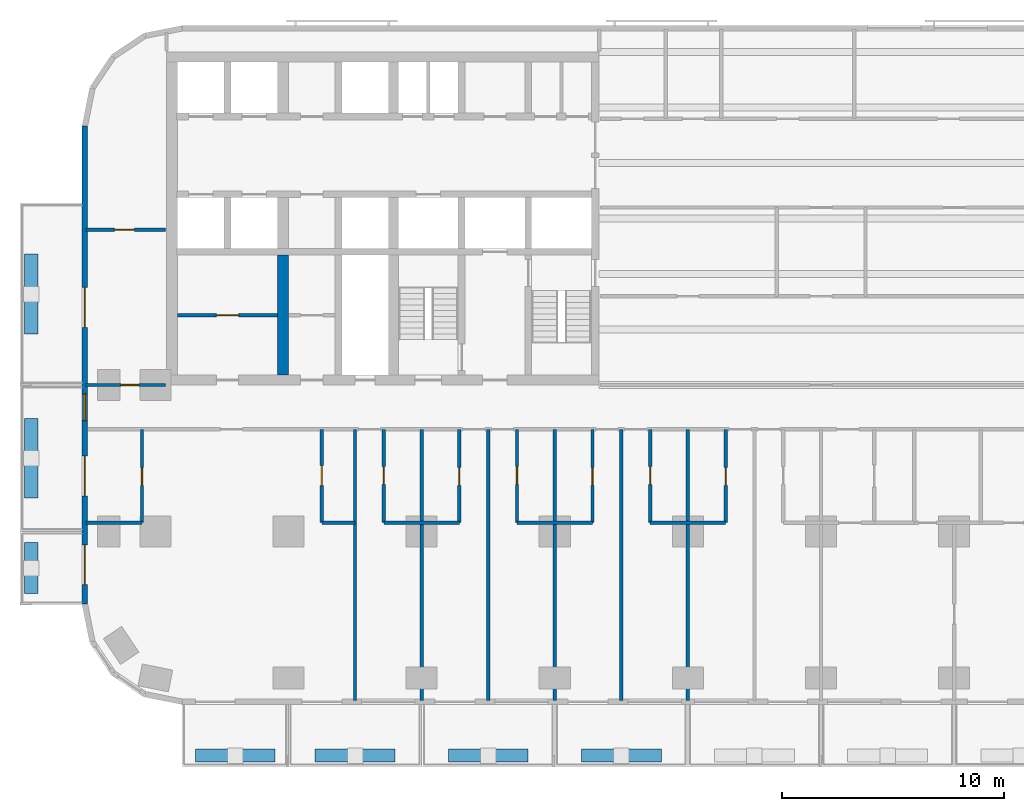
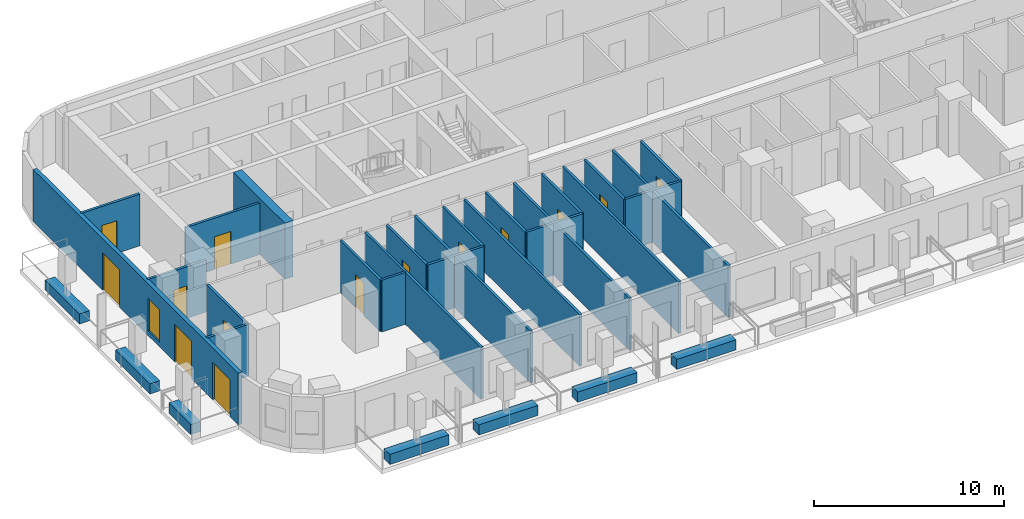
# One storey, part 2 of 14: 31 walls, 14 doors, 1 window, 15 openings.
"""IFC4 building model written with IfcOpenShell, lengths in metres."""

from ifc_helpers import new_model, si_unit, direction, frame, frame_2d, origin, place, context, subcontext, project, spatial, rectangle, extrude, material, layer, layer_set, type_object, element, fill, save


model = new_model("IFC4")

# Units and contexts
model_context = context("Model", 3, precision=1e-05, world=origin(), true_north=direction((0.0, 1.0)))
body_context = subcontext(model_context, "Body", "Model", "MODEL_VIEW")
ifc_project = project(units=[si_unit("LENGTHUNIT", "METRE"), si_unit("AREAUNIT", "SQUARE_METRE"), si_unit("VOLUMEUNIT", "CUBIC_METRE"), si_unit("PLANEANGLEUNIT", "RADIAN"), si_unit("MASSUNIT", "GRAM", prefix="KILO")], contexts=[model_context])

# Site, building, storey
site_placement = place(None, origin())
site = spatial("IfcSite", under=ifc_project, at=site_placement, CompositionType="ELEMENT")
building_placement = place(site_placement, origin())
building = spatial("IfcBuilding", under=site, at=building_placement, Name="Torana Hotel and Residences", CompositionType="ELEMENT")
storey_placement = place(building_placement, frame((0.0, 0.0, 63.60009765625)))
storey = spatial("IfcBuildingStorey", under=building, at=storey_placement, Name="L15", CompositionType="ELEMENT", Elevation=63.60009765625)

# Wall
ifc_material_1 = material(Name="Concrete C80/95", Category="concrete")
ifc_layer_1 = layer(ifc_material_1, 0.5)
ifc_layer_set_1 = layer_set([ifc_layer_1], Name="CORE WALL 500 C80/95")
wall_type_1 = type_object("IfcWallType", Name="CORE WALL 500 C80/95", PredefinedType="SHEAR", material=ifc_layer_set_1)
wall_1_placement = place(storey_placement, frame((-24.25, -14.550048828125, 0.0), z_axis=(0.0, 0.0, 1.0), x_axis=(0.0, 1.0, 0.0)))
element("IfcWall", 1, at=wall_1_placement, inside=storey, type_object=wall_type_1, Name="Core wall W ml-band", PredefinedType="SHEAR", context=body_context, shape_type="SweptSolid", body=[
    extrude(rectangle(XDim=5.400146484375, YDim=0.5, at=frame_2d((2.7001953125, 0.0))), origin(), (0.0, 0.0, 1.0), 3.599853515625),
])

# Wall, openings, doors, window
ifc_material_2 = material(Name="Black aluminium composite panel", Category="aluminium")
ifc_layer_2 = layer(ifc_material_2, 0.00390625, Name="Cladding", Category="cladding")
ifc_material_3 = material(Name="Ventilated air cavity")
ifc_layer_3 = layer(ifc_material_3, 0.0400390625, Name="Ventilated cavity", Category="cavity")
ifc_material_4 = material(Name="Mineral wool insulation")
ifc_layer_4 = layer(ifc_material_4, 0.090087890625, Name="Insulation", Category="insulation")
ifc_material_5 = material(Name="Steel S280GD", Category="steel")
ifc_layer_5 = layer(ifc_material_5, 0.092041015625, Name="Steel stud frame", Category="structure")
ifc_material_6 = material(Name="Fire rated plasterboard")
ifc_layer_6 = layer(ifc_material_6, 0.011962890625, Name="Inner board", Category="finish")
ifc_layer_7 = layer(ifc_material_6, 0.011962890625, Name="Second board", Category="finish")
ifc_layer_set_2 = layer_set([ifc_layer_2, ifc_layer_3, ifc_layer_4, ifc_layer_5, ifc_layer_6, ifc_layer_7], Name="EW1 EXTERNAL WALL BLACK METAL CLAD 250")
wall_type_2 = type_object("IfcWallType", Name="EW1 EXTERNAL WALL BLACK METAL CLAD 250", PredefinedType="SOLIDWALL", material=ifc_layer_set_2)
wall_2_placement = place(storey_placement, frame((-33.175048828125, -3.32470703125, 0.0), z_axis=(0.0, 0.0, 1.0), x_axis=(0.0, -1.0, 0.0)))
wall_2 = element("IfcWall", 2, at=wall_2_placement, inside=storey, type_object=wall_type_2, Name="External wall L15 e0.9", PredefinedType="SOLIDWALL", context=body_context, shape_type="SweptSolid", body=[
    extrude(rectangle(XDim=21.55078125, YDim=0.25, at=frame_2d((10.775390625, 0.0))), origin(), (0.0, 0.0, 1.0), 3.31982421875),
])
opening_1_placement = place(wall_2_placement, frame((7.275390625, 0.0, 0.0)))
opening_1 = element("IfcOpeningElement", 3, at=opening_1_placement, cuts=wall_2, Name="Opening L15-E14", PredefinedType="OPENING", context=body_context, shape_type="SweptSolid", body=[
    extrude(rectangle(XDim=1.800048828125, YDim=2.39990234375, at=frame_2d((0.89990234375, 1.199951171875))), frame((0.0, 0.135009765625, 0.0), z_axis=(0.0, -1.0, 0.0), x_axis=(1.0, 0.0, 0.0)), (0.0, 0.0, 1.0), 0.27001953125),
])
opening_2_placement = place(wall_2_placement, frame((12.075439453125, 0.0, 0.300048828125)))
opening_2 = element("IfcOpeningElement", 4, at=opening_2_placement, cuts=wall_2, Name="Opening W7", PredefinedType="OPENING", context=body_context, shape_type="SweptSolid", body=[
    extrude(rectangle(XDim=1.199951171875, YDim=2.10009765625, at=frame_2d((0.60009765625, 1.050048828125))), frame((0.0, 0.135009765625, 0.0), z_axis=(0.0, -1.0, 0.0), x_axis=(1.0, 0.0, 0.0)), (0.0, 0.0, 1.0), 0.27001953125),
])
opening_3_placement = place(wall_2_placement, frame((14.87548828125, 0.0, 0.0)))
opening_3 = element("IfcOpeningElement", 5, at=opening_3_placement, cuts=wall_2, Name="Opening L15-E15", PredefinedType="OPENING", context=body_context, shape_type="SweptSolid", body=[
    extrude(rectangle(XDim=1.800048828125, YDim=2.39990234375, at=frame_2d((0.89990234375, 1.199951171875))), frame((0.0, 0.135009765625, 0.0), z_axis=(0.0, -1.0, 0.0), x_axis=(1.0, 0.0, 0.0)), (0.0, 0.0, 1.0), 0.27001953125),
])
opening_4_placement = place(wall_2_placement, frame((18.87548828125, 0.0, 0.0)))
opening_4 = element("IfcOpeningElement", 6, at=opening_4_placement, cuts=wall_2, Name="Opening L15-E16", PredefinedType="OPENING", context=body_context, shape_type="SweptSolid", body=[
    extrude(rectangle(XDim=1.800048828125, YDim=2.39990234375, at=frame_2d((0.89990234375, 1.199951171875))), frame((0.0, 0.135009765625, 0.0), z_axis=(0.0, -1.0, 0.0), x_axis=(1.0, 0.0, 0.0)), (0.0, 0.0, 1.0), 0.27001953125),
])
ifc_material_7 = material(Name="Dark glass in black aluminium frame", Category="aluminium")
door_type_1 = type_object("IfcDoorType", Name="DB1 BALCONY DOOR 1800x2400", OperationType="DOUBLE_DOOR_SINGLE_SWING", PredefinedType="DOOR", material=ifc_material_7)
door_1_placement = place(opening_1_placement, origin())
door_1 = element("IfcDoor", 7, at=door_1_placement, inside=storey, type_object=door_type_1, Name="Balcony door L15", OperationType="DOUBLE_DOOR_SINGLE_SWING", OverallHeight=2.39990234375, OverallWidth=1.800048828125, PredefinedType="DOOR", context=body_context, shape_type="SweptSolid", body=[
    extrude(rectangle(XDim=1.800048828125, YDim=2.39990234375, at=frame_2d((0.89990234375, 1.199951171875))), frame((0.0, 0.02490234375, 0.0), z_axis=(0.0, -1.0, 0.0), x_axis=(1.0, 0.0, 0.0)), (0.0, 0.0, 1.0), 0.050048828125),
])
fill(opening_1, door_1)
door_2_placement = place(opening_3_placement, origin())
door_2 = element("IfcDoor", 8, at=door_2_placement, inside=storey, type_object=door_type_1, Name="Balcony door L15", OperationType="DOUBLE_DOOR_SINGLE_SWING", OverallHeight=2.39990234375, OverallWidth=1.800048828125, PredefinedType="DOOR", context=body_context, shape_type="SweptSolid", body=[
    extrude(rectangle(XDim=1.800048828125, YDim=2.39990234375, at=frame_2d((0.89990234375, 1.199951171875))), frame((0.0, 0.02490234375, 0.0), z_axis=(0.0, -1.0, 0.0), x_axis=(1.0, 0.0, 0.0)), (0.0, 0.0, 1.0), 0.050048828125),
])
fill(opening_3, door_2)
door_3_placement = place(opening_4_placement, frame((0.89990234375, 0.0, 0.0), z_axis=(0.0, 0.0, 1.0), x_axis=(-1.0, 0.0, 0.0)))
door_3 = element("IfcDoor", 9, at=door_3_placement, inside=storey, type_object=door_type_1, Name="Balcony door L15", OperationType="DOUBLE_DOOR_SINGLE_SWING", OverallHeight=2.39990234375, OverallWidth=1.800048828125, PredefinedType="DOOR", context=body_context, shape_type="SweptSolid", body=[
    extrude(rectangle(XDim=1.800048828125, YDim=2.39990234375, at=frame_2d((0.0, 1.199951171875))), frame((0.0, -0.02490234375, 0.0), z_axis=(0.0, 1.0, 0.0), x_axis=(-1.0, 0.0, 0.0)), (0.0, 0.0, 1.0), 0.050048828125),
])
fill(opening_4, door_3)
ifc_material_8 = material(Name="Dark glass in black aluminium frame", Category="aluminium")
window_type = type_object("IfcWindowType", Name="W7 HOTEL CORRIDOR WINDOW 1200x2100", PartitioningType="SINGLE_PANEL", PredefinedType="WINDOW", material=ifc_material_8)
window_placement = place(opening_2_placement, origin())
window = element("IfcWindow", 10, at=window_placement, inside=storey, type_object=window_type, Name="Window L15", OverallHeight=2.10009765625, OverallWidth=1.199951171875, PartitioningType="SINGLE_PANEL", PredefinedType="WINDOW", context=body_context, shape_type="SweptSolid", body=[
    extrude(rectangle(XDim=1.199951171875, YDim=2.10009765625, at=frame_2d((0.60009765625, 1.050048828125))), frame((0.0, 0.030029296875, 0.0), z_axis=(0.0, -1.0, 0.0), x_axis=(1.0, 0.0, 0.0)), (0.0, 0.0, 1.0), 0.06005859375),
])
fill(opening_2, window)

# Wall, opening, door
ifc_material_9 = material(Name="Gypsum plaster")
ifc_layer_8 = layer(ifc_material_9, 0.014892578125, Name="Plaster", Category="finish")
ifc_material_10 = material(Name="Concrete blockwork", Category="masonry")
ifc_layer_9 = layer(ifc_material_10, 0.1201171875, Name="Blockwork", Category="structure")
ifc_layer_10 = layer(ifc_material_9, 0.014892578125, Name="Plaster", Category="finish")
ifc_layer_set_3 = layer_set([ifc_layer_8, ifc_layer_9, ifc_layer_10], Name="FIRE PARTITION 150 BLOCKWORK")
wall_type_3 = type_object("IfcWallType", Name="FIRE PARTITION 150 BLOCKWORK", PredefinedType="PARTITIONING", material=ifc_layer_set_3)
wall_3_placement = place(storey_placement, frame((-29.0, -11.85009765625, 0.0), z_axis=(0.0, 0.0, 1.0), x_axis=(1.0, 0.0, 0.0)))
wall_3 = element("IfcWall", 11, at=wall_3_placement, inside=storey, type_object=wall_type_3, Name="Core partition L15", PredefinedType="PARTITIONING", context=body_context, shape_type="SweptSolid", body=[
    extrude(rectangle(XDim=4.5, YDim=0.14990234375, at=frame_2d((2.25, 0.0))), origin(), (0.0, 0.0, 1.0), 3.2998046875),
])
opening_5_placement = place(wall_3_placement, frame((1.75, 0.0, 0.0)))
opening_5 = element("IfcOpeningElement", 12, at=opening_5_placement, cuts=wall_3, Name="Opening L15-36", PredefinedType="OPENING", context=body_context, shape_type="SweptSolid", body=[
    extrude(rectangle(XDim=1.0, YDim=2.10009765625, at=frame_2d((0.5, 1.050048828125))), frame((0.0, 0.0849609375, 0.0), z_axis=(0.0, -1.0, 0.0), x_axis=(1.0, 0.0, 0.0)), (0.0, 0.0, 1.0), 0.169921875),
])
ifc_material_11 = material(Name="Steel S235", Category="steel")
door_type_2 = type_object("IfcDoorType", Name="CORE ROOM FIRE DOOR D14 1000x2100", OperationType="SINGLE_SWING_LEFT", PredefinedType="DOOR", material=ifc_material_11)
door_4_placement = place(opening_5_placement, origin())
door_4 = element("IfcDoor", 13, at=door_4_placement, inside=storey, type_object=door_type_2, Name="Plant room door L15", OperationType="SINGLE_SWING_RIGHT", OverallHeight=2.10009765625, OverallWidth=1.0, PredefinedType="DOOR", context=body_context, shape_type="SweptSolid", body=[
    extrude(rectangle(XDim=1.0, YDim=2.10009765625, at=frame_2d((0.5, 1.050048828125))), frame((0.0, 0.02490234375, 0.0), z_axis=(0.0, -1.0, 0.0), x_axis=(1.0, 0.0, 0.0)), (0.0, 0.0, 1.0), 0.050048828125),
])
fill(opening_5, door_4)

wall_4_placement = place(storey_placement, frame((-33.1201171875, -15.0, 0.0), z_axis=(0.0, 0.0, 1.0), x_axis=(1.0, 0.0, 0.0)))
wall_4 = element("IfcWall", 14, at=wall_4_placement, inside=storey, type_object=wall_type_3, Name="Partition L15", PredefinedType="PARTITIONING", context=body_context, shape_type="SweptSolid", body=[
    extrude(rectangle(XDim=3.570068359375, YDim=0.14990234375, at=frame_2d((1.78515625, 0.0))), origin(), (0.0, 0.0, 1.0), 3.31982421875),
])
opening_6_placement = place(wall_4_placement, frame((1.580078125, 0.0, 0.0)))
opening_6 = element("IfcOpeningElement", 15, at=opening_6_placement, cuts=wall_4, Name="Opening L15-52", PredefinedType="OPENING", context=body_context, shape_type="SweptSolid", body=[
    extrude(rectangle(XDim=0.800048828125, YDim=2.10009765625, at=frame_2d((0.39990234375, 1.050048828125))), frame((0.0, 0.0849609375, 0.0), z_axis=(0.0, -1.0, 0.0), x_axis=(1.0, 0.0, 0.0)), (0.0, 0.0, 1.0), 0.169921875),
])
ifc_material_12 = material(Name="Steel S235", Category="steel")
door_type_3 = type_object("IfcDoorType", Name="STORE FIRE DOOR D16 800x2100", OperationType="SINGLE_SWING_LEFT", PredefinedType="DOOR", material=ifc_material_12)
door_5_placement = place(opening_6_placement, origin())
door_5 = element("IfcDoor", 16, at=door_5_placement, inside=storey, type_object=door_type_3, Name="Door L15", OperationType="SINGLE_SWING_RIGHT", OverallHeight=2.10009765625, OverallWidth=0.800048828125, PredefinedType="DOOR", context=body_context, shape_type="SweptSolid", body=[
    extrude(rectangle(XDim=0.800048828125, YDim=2.10009765625, at=frame_2d((0.39990234375, 1.050048828125))), frame((0.0, 0.02490234375, 0.0), z_axis=(0.0, -1.0, 0.0), x_axis=(1.0, 0.0, 0.0)), (0.0, 0.0, 1.0), 0.050048828125),
])
fill(opening_6, door_5)

ifc_material_13 = material(Name="Gypsum plasterboard")
ifc_layer_11 = layer(ifc_material_13, 0.012451171875, Name="Plasterboard", Category="finish")
ifc_layer_12 = layer(ifc_material_13, 0.012451171875, Name="Plasterboard", Category="finish")
ifc_layer_13 = layer(ifc_material_5, 0.10009765625, Name="Steel studs with mineral wool", Category="insulation")
ifc_layer_14 = layer(ifc_material_13, 0.012451171875, Name="Plasterboard", Category="finish")
ifc_layer_15 = layer(ifc_material_13, 0.012451171875, Name="Plasterboard", Category="finish")
ifc_layer_set_4 = layer_set([ifc_layer_11, ifc_layer_12, ifc_layer_13, ifc_layer_14, ifc_layer_15], Name="PARTITION 150 PLASTERBOARD")
wall_type_4 = type_object("IfcWallType", Name="PARTITION 150 PLASTERBOARD", PredefinedType="PARTITIONING", material=ifc_layer_set_4)
wall_5_placement = place(storey_placement, frame((-4.300048828125, -21.199951171875, 0.0), z_axis=(0.0, 0.0, 1.0), x_axis=(0.0, 1.0, 0.0)))
wall_5 = element("IfcWall", 17, at=wall_5_placement, inside=storey, type_object=wall_type_4, Name="Partition L15", PredefinedType="PARTITIONING", context=body_context, shape_type="SweptSolid", body=[
    extrude(rectangle(XDim=4.199951171875, YDim=0.14990234375, at=frame_2d((2.10009765625, 0.0))), origin(), (0.0, 0.0, 1.0), 3.31982421875),
])
opening_7_placement = place(wall_5_placement, frame((1.679931640625, 0.0, 0.0)))
opening_7 = element("IfcOpeningElement", 18, at=opening_7_placement, cuts=wall_5, Name="Opening L15-67", PredefinedType="OPENING", context=body_context, shape_type="SweptSolid", body=[
    extrude(rectangle(XDim=0.800048828125, YDim=2.10009765625, at=frame_2d((0.39990234375, 1.050048828125))), frame((0.0, 0.0849609375, 0.0), z_axis=(0.0, -1.0, 0.0), x_axis=(1.0, 0.0, 0.0)), (0.0, 0.0, 1.0), 0.169921875),
])
ifc_material_14 = material(Name="Timber door, painted", Category="wood")
door_type_4 = type_object("IfcDoorType", Name="BATH DOOR D13 800x2100", OperationType="SINGLE_SWING_LEFT", PredefinedType="DOOR", material=ifc_material_14)
door_6_placement = place(opening_7_placement, origin())
door_6 = element("IfcDoor", 19, at=door_6_placement, inside=storey, type_object=door_type_4, Name="Door L15", OperationType="SINGLE_SWING_RIGHT", OverallHeight=2.10009765625, OverallWidth=0.800048828125, PredefinedType="DOOR", context=body_context, shape_type="SweptSolid", body=[
    extrude(rectangle(XDim=0.800048828125, YDim=2.10009765625, at=frame_2d((0.39990234375, 1.050048828125))), frame((0.0, 0.02490234375, 0.0), z_axis=(0.0, -1.0, 0.0), x_axis=(1.0, 0.0, 0.0)), (0.0, 0.0, 1.0), 0.050048828125),
])
fill(opening_7, door_6)

# Wall
wall_6_placement = place(storey_placement, frame((-6.0, -29.219970703125, 0.0), z_axis=(0.0, 0.0, 1.0), x_axis=(0.0, 1.0, 0.0)))
element("IfcWall", 20, at=wall_6_placement, inside=storey, type_object=wall_type_4, Name="Partition L15", PredefinedType="PARTITIONING", context=body_context, shape_type="SweptSolid", body=[
    extrude(rectangle(XDim=12.219970703125, YDim=0.14990234375, at=frame_2d((6.10986328125, 0.0))), origin(), (0.0, 0.0, 1.0), 3.31982421875),
])

# Wall, opening, door
wall_7_placement = place(storey_placement, frame((-7.699951171875, -21.199951171875, 0.0), z_axis=(0.0, 0.0, 1.0), x_axis=(0.0, 1.0, 0.0)))
wall_7 = element("IfcWall", 21, at=wall_7_placement, inside=storey, type_object=wall_type_4, Name="Partition L15", PredefinedType="PARTITIONING", context=body_context, shape_type="SweptSolid", body=[
    extrude(rectangle(XDim=4.199951171875, YDim=0.14990234375, at=frame_2d((2.10009765625, 0.0))), origin(), (0.0, 0.0, 1.0), 3.31982421875),
])
opening_8_placement = place(wall_7_placement, frame((1.719970703125, 0.0, 0.0)))
opening_8 = element("IfcOpeningElement", 22, at=opening_8_placement, cuts=wall_7, Name="Opening L15-66", PredefinedType="OPENING", context=body_context, shape_type="SweptSolid", body=[
    extrude(rectangle(XDim=0.800048828125, YDim=2.10009765625, at=frame_2d((0.39990234375, 1.050048828125))), frame((0.0, 0.0849609375, 0.0), z_axis=(0.0, -1.0, 0.0), x_axis=(1.0, 0.0, 0.0)), (0.0, 0.0, 1.0), 0.169921875),
])
door_7_placement = place(opening_8_placement, origin())
door_7 = element("IfcDoor", 23, at=door_7_placement, inside=storey, type_object=door_type_4, Name="Door L15", OperationType="SINGLE_SWING_RIGHT", OverallHeight=2.10009765625, OverallWidth=0.800048828125, PredefinedType="DOOR", context=body_context, shape_type="SweptSolid", body=[
    extrude(rectangle(XDim=0.800048828125, YDim=2.10009765625, at=frame_2d((0.39990234375, 1.050048828125))), frame((0.0, 0.02490234375, 0.0), z_axis=(0.0, -1.0, 0.0), x_axis=(1.0, 0.0, 0.0)), (0.0, 0.0, 1.0), 0.050048828125),
])
fill(opening_8, door_7)

# Wall
wall_8_placement = place(storey_placement, frame((-9.0, -29.219970703125, 0.0), z_axis=(0.0, 0.0, 1.0), x_axis=(0.0, 1.0, 0.0)))
element("IfcWall", 24, at=wall_8_placement, inside=storey, type_object=wall_type_4, Name="Partition L15", PredefinedType="PARTITIONING", context=body_context, shape_type="SweptSolid", body=[
    extrude(rectangle(XDim=12.219970703125, YDim=0.14990234375, at=frame_2d((6.10986328125, 0.0))), origin(), (0.0, 0.0, 1.0), 3.31982421875),
])

# Wall, opening, door
wall_9_placement = place(storey_placement, frame((-10.300048828125, -21.199951171875, 0.0), z_axis=(0.0, 0.0, 1.0), x_axis=(0.0, 1.0, 0.0)))
wall_9 = element("IfcWall", 25, at=wall_9_placement, inside=storey, type_object=wall_type_4, Name="Partition L15", PredefinedType="PARTITIONING", context=body_context, shape_type="SweptSolid", body=[
    extrude(rectangle(XDim=4.199951171875, YDim=0.14990234375, at=frame_2d((2.10009765625, 0.0))), origin(), (0.0, 0.0, 1.0), 3.31982421875),
])
opening_9_placement = place(wall_9_placement, frame((1.679931640625, 0.0, 0.0)))
opening_9 = element("IfcOpeningElement", 26, at=opening_9_placement, cuts=wall_9, Name="Opening L15-65", PredefinedType="OPENING", context=body_context, shape_type="SweptSolid", body=[
    extrude(rectangle(XDim=0.800048828125, YDim=2.10009765625, at=frame_2d((0.39990234375, 1.050048828125))), frame((0.0, 0.0849609375, 0.0), z_axis=(0.0, -1.0, 0.0), x_axis=(1.0, 0.0, 0.0)), (0.0, 0.0, 1.0), 0.169921875),
])
door_8_placement = place(opening_9_placement, origin())
door_8 = element("IfcDoor", 27, at=door_8_placement, inside=storey, type_object=door_type_4, Name="Door L15", OperationType="SINGLE_SWING_RIGHT", OverallHeight=2.10009765625, OverallWidth=0.800048828125, PredefinedType="DOOR", context=body_context, shape_type="SweptSolid", body=[
    extrude(rectangle(XDim=0.800048828125, YDim=2.10009765625, at=frame_2d((0.39990234375, 1.050048828125))), frame((0.0, 0.02490234375, 0.0), z_axis=(0.0, -1.0, 0.0), x_axis=(1.0, 0.0, 0.0)), (0.0, 0.0, 1.0), 0.050048828125),
])
fill(opening_9, door_8)

# Wall
wall_10_placement = place(storey_placement, frame((-12.0, -29.219970703125, 0.0), z_axis=(0.0, 0.0, 1.0), x_axis=(0.0, 1.0, 0.0)))
element("IfcWall", 28, at=wall_10_placement, inside=storey, type_object=wall_type_4, Name="Partition L15", PredefinedType="PARTITIONING", context=body_context, shape_type="SweptSolid", body=[
    extrude(rectangle(XDim=12.219970703125, YDim=0.14990234375, at=frame_2d((6.10986328125, 0.0))), origin(), (0.0, 0.0, 1.0), 3.31982421875),
])

# Wall, opening, door
wall_11_placement = place(storey_placement, frame((-13.699951171875, -21.199951171875, 0.0), z_axis=(0.0, 0.0, 1.0), x_axis=(0.0, 1.0, 0.0)))
wall_11 = element("IfcWall", 29, at=wall_11_placement, inside=storey, type_object=wall_type_4, Name="Partition L15", PredefinedType="PARTITIONING", context=body_context, shape_type="SweptSolid", body=[
    extrude(rectangle(XDim=4.199951171875, YDim=0.14990234375, at=frame_2d((2.10009765625, 0.0))), origin(), (0.0, 0.0, 1.0), 3.31982421875),
])
opening_10_placement = place(wall_11_placement, frame((1.719970703125, 0.0, 0.0)))
opening_10 = element("IfcOpeningElement", 30, at=opening_10_placement, cuts=wall_11, Name="Opening L15-64", PredefinedType="OPENING", context=body_context, shape_type="SweptSolid", body=[
    extrude(rectangle(XDim=0.800048828125, YDim=2.10009765625, at=frame_2d((0.39990234375, 1.050048828125))), frame((0.0, 0.0849609375, 0.0), z_axis=(0.0, -1.0, 0.0), x_axis=(1.0, 0.0, 0.0)), (0.0, 0.0, 1.0), 0.169921875),
])
door_9_placement = place(opening_10_placement, origin())
door_9 = element("IfcDoor", 31, at=door_9_placement, inside=storey, type_object=door_type_4, Name="Door L15", OperationType="SINGLE_SWING_RIGHT", OverallHeight=2.10009765625, OverallWidth=0.800048828125, PredefinedType="DOOR", context=body_context, shape_type="SweptSolid", body=[
    extrude(rectangle(XDim=0.800048828125, YDim=2.10009765625, at=frame_2d((0.39990234375, 1.050048828125))), frame((0.0, 0.02490234375, 0.0), z_axis=(0.0, -1.0, 0.0), x_axis=(1.0, 0.0, 0.0)), (0.0, 0.0, 1.0), 0.050048828125),
])
fill(opening_10, door_9)

# Wall
wall_12_placement = place(storey_placement, frame((-15.0, -29.219970703125, 0.0), z_axis=(0.0, 0.0, 1.0), x_axis=(0.0, 1.0, 0.0)))
element("IfcWall", 32, at=wall_12_placement, inside=storey, type_object=wall_type_4, Name="Partition L15", PredefinedType="PARTITIONING", context=body_context, shape_type="SweptSolid", body=[
    extrude(rectangle(XDim=12.219970703125, YDim=0.14990234375, at=frame_2d((6.10986328125, 0.0))), origin(), (0.0, 0.0, 1.0), 3.31982421875),
])

# Wall, opening, door
wall_13_placement = place(storey_placement, frame((-16.300048828125, -21.199951171875, 0.0), z_axis=(0.0, 0.0, 1.0), x_axis=(0.0, 1.0, 0.0)))
wall_13 = element("IfcWall", 33, at=wall_13_placement, inside=storey, type_object=wall_type_4, Name="Partition L15", PredefinedType="PARTITIONING", context=body_context, shape_type="SweptSolid", body=[
    extrude(rectangle(XDim=4.199951171875, YDim=0.14990234375, at=frame_2d((2.10009765625, 0.0))), origin(), (0.0, 0.0, 1.0), 3.31982421875),
])
opening_11_placement = place(wall_13_placement, frame((1.679931640625, 0.0, 0.0)))
opening_11 = element("IfcOpeningElement", 34, at=opening_11_placement, cuts=wall_13, Name="Opening L15-63", PredefinedType="OPENING", context=body_context, shape_type="SweptSolid", body=[
    extrude(rectangle(XDim=0.800048828125, YDim=2.10009765625, at=frame_2d((0.39990234375, 1.050048828125))), frame((0.0, 0.0849609375, 0.0), z_axis=(0.0, -1.0, 0.0), x_axis=(1.0, 0.0, 0.0)), (0.0, 0.0, 1.0), 0.169921875),
])
door_10_placement = place(opening_11_placement, origin())
door_10 = element("IfcDoor", 35, at=door_10_placement, inside=storey, type_object=door_type_4, Name="Door L15", OperationType="SINGLE_SWING_RIGHT", OverallHeight=2.10009765625, OverallWidth=0.800048828125, PredefinedType="DOOR", context=body_context, shape_type="SweptSolid", body=[
    extrude(rectangle(XDim=0.800048828125, YDim=2.10009765625, at=frame_2d((0.39990234375, 1.050048828125))), frame((0.0, 0.02490234375, 0.0), z_axis=(0.0, -1.0, 0.0), x_axis=(1.0, 0.0, 0.0)), (0.0, 0.0, 1.0), 0.050048828125),
])
fill(opening_11, door_10)

# Wall
wall_14_placement = place(storey_placement, frame((-18.0, -29.219970703125, 0.0), z_axis=(0.0, 0.0, 1.0), x_axis=(0.0, 1.0, 0.0)))
element("IfcWall", 36, at=wall_14_placement, inside=storey, type_object=wall_type_4, Name="Partition L15", PredefinedType="PARTITIONING", context=body_context, shape_type="SweptSolid", body=[
    extrude(rectangle(XDim=12.219970703125, YDim=0.14990234375, at=frame_2d((6.10986328125, 0.0))), origin(), (0.0, 0.0, 1.0), 3.31982421875),
])

# Wall, opening, door
wall_15_placement = place(storey_placement, frame((-19.699951171875, -21.199951171875, 0.0), z_axis=(0.0, 0.0, 1.0), x_axis=(0.0, 1.0, 0.0)))
wall_15 = element("IfcWall", 37, at=wall_15_placement, inside=storey, type_object=wall_type_4, Name="Partition L15", PredefinedType="PARTITIONING", context=body_context, shape_type="SweptSolid", body=[
    extrude(rectangle(XDim=4.199951171875, YDim=0.14990234375, at=frame_2d((2.10009765625, 0.0))), origin(), (0.0, 0.0, 1.0), 3.31982421875),
])
opening_12_placement = place(wall_15_placement, frame((1.719970703125, 0.0, 0.0)))
opening_12 = element("IfcOpeningElement", 38, at=opening_12_placement, cuts=wall_15, Name="Opening L15-62", PredefinedType="OPENING", context=body_context, shape_type="SweptSolid", body=[
    extrude(rectangle(XDim=0.800048828125, YDim=2.10009765625, at=frame_2d((0.39990234375, 1.050048828125))), frame((0.0, 0.0849609375, 0.0), z_axis=(0.0, -1.0, 0.0), x_axis=(1.0, 0.0, 0.0)), (0.0, 0.0, 1.0), 0.169921875),
])
door_11_placement = place(opening_12_placement, origin())
door_11 = element("IfcDoor", 39, at=door_11_placement, inside=storey, type_object=door_type_4, Name="Door L15", OperationType="SINGLE_SWING_RIGHT", OverallHeight=2.10009765625, OverallWidth=0.800048828125, PredefinedType="DOOR", context=body_context, shape_type="SweptSolid", body=[
    extrude(rectangle(XDim=0.800048828125, YDim=2.10009765625, at=frame_2d((0.39990234375, 1.050048828125))), frame((0.0, 0.02490234375, 0.0), z_axis=(0.0, -1.0, 0.0), x_axis=(1.0, 0.0, 0.0)), (0.0, 0.0, 1.0), 0.050048828125),
])
fill(opening_12, door_11)

# Wall
wall_16_placement = place(storey_placement, frame((-21.0, -29.219970703125, 0.0), z_axis=(0.0, 0.0, 1.0), x_axis=(0.0, 1.0, 0.0)))
element("IfcWall", 40, at=wall_16_placement, inside=storey, type_object=wall_type_4, Name="Partition L15", PredefinedType="PARTITIONING", context=body_context, shape_type="SweptSolid", body=[
    extrude(rectangle(XDim=12.219970703125, YDim=0.14990234375, at=frame_2d((6.10986328125, 0.0))), origin(), (0.0, 0.0, 1.0), 3.31982421875),
])

# Wall, opening, door
wall_17_placement = place(storey_placement, frame((-22.5, -21.199951171875, 0.0), z_axis=(0.0, 0.0, 1.0), x_axis=(0.0, 1.0, 0.0)))
wall_17 = element("IfcWall", 41, at=wall_17_placement, inside=storey, type_object=wall_type_4, Name="Partition L15", PredefinedType="PARTITIONING", context=body_context, shape_type="SweptSolid", body=[
    extrude(rectangle(XDim=4.199951171875, YDim=0.14990234375, at=frame_2d((2.10009765625, 0.0))), origin(), (0.0, 0.0, 1.0), 3.31982421875),
])
opening_13_placement = place(wall_17_placement, frame((1.669921875, 0.0, 0.0)))
opening_13 = element("IfcOpeningElement", 42, at=opening_13_placement, cuts=wall_17, Name="Opening L15-77", PredefinedType="OPENING", context=body_context, shape_type="SweptSolid", body=[
    extrude(rectangle(XDim=0.89990234375, YDim=2.10009765625, at=frame_2d((0.449951171875, 1.050048828125))), frame((0.0, 0.0849609375, 0.0), z_axis=(0.0, -1.0, 0.0), x_axis=(1.0, 0.0, 0.0)), (0.0, 0.0, 1.0), 0.169921875),
])
ifc_material_15 = material(Name="Timber door, oiled ash", Category="wood")
door_type_5 = type_object("IfcDoorType", Name="ROOM DOOR D7 900x2100", OperationType="SINGLE_SWING_LEFT", PredefinedType="DOOR", material=ifc_material_15)
door_12_placement = place(opening_13_placement, origin())
door_12 = element("IfcDoor", 43, at=door_12_placement, inside=storey, type_object=door_type_5, Name="Door L15", OperationType="SINGLE_SWING_RIGHT", OverallHeight=2.10009765625, OverallWidth=0.89990234375, PredefinedType="DOOR", context=body_context, shape_type="SweptSolid", body=[
    extrude(rectangle(XDim=0.89990234375, YDim=2.10009765625, at=frame_2d((0.449951171875, 1.050048828125))), frame((0.0, 0.02490234375, 0.0), z_axis=(0.0, -1.0, 0.0), x_axis=(1.0, 0.0, 0.0)), (0.0, 0.0, 1.0), 0.050048828125),
])
fill(opening_13, door_12)

wall_18_placement = place(storey_placement, frame((-30.60009765625, -21.199951171875, 0.0), z_axis=(0.0, 0.0, 1.0), x_axis=(0.0, 1.0, 0.0)))
wall_18 = element("IfcWall", 44, at=wall_18_placement, inside=storey, type_object=wall_type_4, Name="Partition L15", PredefinedType="PARTITIONING", context=body_context, shape_type="SweptSolid", body=[
    extrude(rectangle(XDim=4.199951171875, YDim=0.14990234375, at=frame_2d((2.10009765625, 0.0))), origin(), (0.0, 0.0, 1.0), 3.31982421875),
])
opening_14_placement = place(wall_18_placement, frame((1.679931640625, 0.0, 0.0)))
opening_14 = element("IfcOpeningElement", 45, at=opening_14_placement, cuts=wall_18, Name="Opening L15-78", PredefinedType="OPENING", context=body_context, shape_type="SweptSolid", body=[
    extrude(rectangle(XDim=0.800048828125, YDim=2.10009765625, at=frame_2d((0.39990234375, 1.050048828125))), frame((0.0, 0.0849609375, 0.0), z_axis=(0.0, -1.0, 0.0), x_axis=(1.0, 0.0, 0.0)), (0.0, 0.0, 1.0), 0.169921875),
])
door_13_placement = place(opening_14_placement, origin())
door_13 = element("IfcDoor", 46, at=door_13_placement, inside=storey, type_object=door_type_4, Name="Door L15", OperationType="SINGLE_SWING_RIGHT", OverallHeight=2.10009765625, OverallWidth=0.800048828125, PredefinedType="DOOR", context=body_context, shape_type="SweptSolid", body=[
    extrude(rectangle(XDim=0.800048828125, YDim=2.10009765625, at=frame_2d((0.39990234375, 1.050048828125))), frame((0.0, 0.02490234375, 0.0), z_axis=(0.0, -1.0, 0.0), x_axis=(1.0, 0.0, 0.0)), (0.0, 0.0, 1.0), 0.050048828125),
])
fill(opening_14, door_13)

# Walls
wall_19_placement = place(storey_placement, frame((-33.1201171875, -21.199951171875, 0.0), z_axis=(0.0, 0.0, 1.0), x_axis=(1.0, 0.0, 0.0)))
element("IfcWall", 47, at=wall_19_placement, inside=storey, type_object=wall_type_4, Name="Partition L15", PredefinedType="PARTITIONING", context=body_context, shape_type="SweptSolid", body=[
    extrude(rectangle(XDim=2.52001953125, YDim=0.14990234375, at=frame_2d((1.260009765625, 0.0))), origin(), (0.0, 0.0, 1.0), 3.31982421875),
])
wall_20_placement = place(storey_placement, frame((-22.5, -21.199951171875, 0.0), z_axis=(0.0, 0.0, 1.0), x_axis=(1.0, 0.0, 0.0)))
element("IfcWall", 48, at=wall_20_placement, inside=storey, type_object=wall_type_4, Name="Partition L15", PredefinedType="PARTITIONING", context=body_context, shape_type="SweptSolid", body=[
    extrude(rectangle(XDim=1.5, YDim=0.14990234375, at=frame_2d((0.75, 0.0))), origin(), (0.0, 0.0, 1.0), 3.31982421875),
])
for number, where, z_axis, x_axis, name in (
    (49, (-19.699951171875, -21.199951171875, 0.0), (0.0, 0.0, 1.0), (1.0, 0.0, 0.0), "Partition L15"),
    (50, (-13.699951171875, -21.199951171875, 0.0), (0.0, 0.0, 1.0), (1.0, 0.0, 0.0), "Partition L15"),
    (51, (-7.699951171875, -21.199951171875, 0.0), (0.0, 0.0, 1.0), (1.0, 0.0, 0.0), "Partition L15"),
):
    element("IfcWall", number, at=place(storey_placement, frame(where, z_axis=z_axis, x_axis=x_axis)), inside=storey, type_object=wall_type_4, Name=name, PredefinedType="PARTITIONING", context=body_context, shape_type="SweptSolid", body=[
        extrude(rectangle(XDim=3.39990234375, YDim=0.14990234375, at=frame_2d((1.699951171875, 0.0))), origin(), (0.0, 0.0, 1.0), 3.31982421875),
    ])

# Wall, opening, door
wall_21_placement = place(storey_placement, frame((-33.1201171875, -8.0, 0.0), z_axis=(0.0, 0.0, 1.0), x_axis=(1.0, 0.0, 0.0)))
wall_21 = element("IfcWall", 52, at=wall_21_placement, inside=storey, type_object=wall_type_4, Name="Partition L15", PredefinedType="PARTITIONING", context=body_context, shape_type="SweptSolid", body=[
    extrude(rectangle(XDim=3.570068359375, YDim=0.14990234375, at=frame_2d((1.78515625, 0.0))), origin(), (0.0, 0.0, 1.0), 3.31982421875),
])
opening_15_placement = place(wall_21_placement, frame((1.27001953125, 0.0, 0.0)))
opening_15 = element("IfcOpeningElement", 53, at=opening_15_placement, cuts=wall_21, Name="Opening L15-81", PredefinedType="OPENING", context=body_context, shape_type="SweptSolid", body=[
    extrude(rectangle(XDim=0.89990234375, YDim=2.10009765625, at=frame_2d((0.449951171875, 1.050048828125))), frame((0.0, 0.0849609375, 0.0), z_axis=(0.0, -1.0, 0.0), x_axis=(1.0, 0.0, 0.0)), (0.0, 0.0, 1.0), 0.169921875),
])
door_14_placement = place(opening_15_placement, origin())
door_14 = element("IfcDoor", 54, at=door_14_placement, inside=storey, type_object=door_type_5, Name="Door L15", OperationType="SINGLE_SWING_RIGHT", OverallHeight=2.10009765625, OverallWidth=0.89990234375, PredefinedType="DOOR", context=body_context, shape_type="SweptSolid", body=[
    extrude(rectangle(XDim=0.89990234375, YDim=2.10009765625, at=frame_2d((0.449951171875, 1.050048828125))), frame((0.0, 0.02490234375, 0.0), z_axis=(0.0, -1.0, 0.0), x_axis=(1.0, 0.0, 0.0)), (0.0, 0.0, 1.0), 0.050048828125),
])
fill(opening_15, door_14)

# Walls
ifc_material_16 = material(Name="Concrete C40/50 precast", Category="concrete")
ifc_layer_16 = layer(ifc_material_16, 0.10009765625, Name="Planter shell", Category="structure")
ifc_material_17 = material(Name="Root resistant membrane")
ifc_layer_17 = layer(ifc_material_17, 0.00390625, Name="Waterproofing membrane", Category="membrane")
ifc_material_18 = material(Name="Drainage board with filter fleece")
ifc_layer_18 = layer(ifc_material_18, 0.02001953125, Name="Drainage board", Category="drainage")
ifc_material_19 = material(Name="Growing medium")
ifc_layer_19 = layer(ifc_material_19, 0.47607421875, Name="Planting substrate", Category="soil")
ifc_layer_set_5 = layer_set([ifc_layer_16, ifc_layer_17, ifc_layer_18, ifc_layer_19], Name="PL1 BALCONY PLANTER 600")
wall_type_5 = type_object("IfcWallType", Name="PL1 BALCONY PLANTER 600", PredefinedType="USERDEFINED", material=ifc_layer_set_5)
wall_22_placement = place(storey_placement, frame((-24.60009765625, -31.699951171875, 0.0), z_axis=(0.0, 0.0, 1.0), x_axis=(-1.0, 0.0, 0.0)))
element("IfcWall", 55, at=wall_22_placement, inside=storey, type_object=wall_type_5, Name="Planter 01", ObjectType="PLANTER", PredefinedType="USERDEFINED", context=body_context, shape_type="SweptSolid", body=[
    extrude(rectangle(XDim=3.599853515625, YDim=0.60009765625, at=frame_2d((1.7998046875, 0.0))), origin(), (0.0, 0.0, 1.0), 0.64990234375),
])
for number, where, z_axis, x_axis, name in (
    (56, (-19.199951171875, -31.699951171875, 0.0), (0.0, 0.0, 1.0), (-1.0, 0.0, 0.0), "Planter 02"),
    (57, (-13.199951171875, -31.699951171875, 0.0), (0.0, 0.0, 1.0), (-1.0, 0.0, 0.0), "Planter 03"),
    (58, (-7.199951171875, -31.699951171875, 0.0), (0.0, 0.0, 1.0), (-1.0, 0.0, 0.0), "Planter 04"),
):
    element("IfcWall", number, at=place(storey_placement, frame(where, z_axis=z_axis, x_axis=x_axis)), inside=storey, type_object=wall_type_5, Name=name, ObjectType="PLANTER", PredefinedType="USERDEFINED", context=body_context, shape_type="SweptSolid", body=[
        extrude(rectangle(XDim=3.60009765625, YDim=0.60009765625, at=frame_2d((1.800048828125, 0.0))), origin(), (0.0, 0.0, 1.0), 0.64990234375),
    ])
wall_23_placement = place(storey_placement, frame((-35.60009765625, -24.39990234375, 0.0), z_axis=(0.0, 0.0, 1.0), x_axis=(0.0, 1.0, 0.0)))
element("IfcWall", 59, at=wall_23_placement, inside=storey, type_object=wall_type_5, Name="Planter 11", ObjectType="PLANTER", PredefinedType="USERDEFINED", context=body_context, shape_type="SweptSolid", body=[
    extrude(rectangle(XDim=2.2998046875, YDim=0.60009765625, at=frame_2d((1.14990234375, 0.0))), origin(), (0.0, 0.0, 1.0), 0.64990234375),
])
wall_24_placement = place(storey_placement, frame((-35.60009765625, -20.10009765625, 0.0), z_axis=(0.0, 0.0, 1.0), x_axis=(0.0, 1.0, 0.0)))
element("IfcWall", 60, at=wall_24_placement, inside=storey, type_object=wall_type_5, Name="Planter 12", ObjectType="PLANTER", PredefinedType="USERDEFINED", context=body_context, shape_type="SweptSolid", body=[
    extrude(rectangle(XDim=3.60009765625, YDim=0.60009765625, at=frame_2d((1.800048828125, 0.0))), origin(), (0.0, 0.0, 1.0), 0.64990234375),
])
wall_25_placement = place(storey_placement, frame((-35.60009765625, -12.699951171875, 0.0), z_axis=(0.0, 0.0, 1.0), x_axis=(0.0, 1.0, 0.0)))
element("IfcWall", 61, at=wall_25_placement, inside=storey, type_object=wall_type_5, Name="Planter 13", ObjectType="PLANTER", PredefinedType="USERDEFINED", context=body_context, shape_type="SweptSolid", body=[
    extrude(rectangle(XDim=3.599853515625, YDim=0.60009765625, at=frame_2d((1.7998046875, 0.0))), origin(), (0.0, 0.0, 1.0), 0.64990234375),
])

save(model, "model.ifc")
